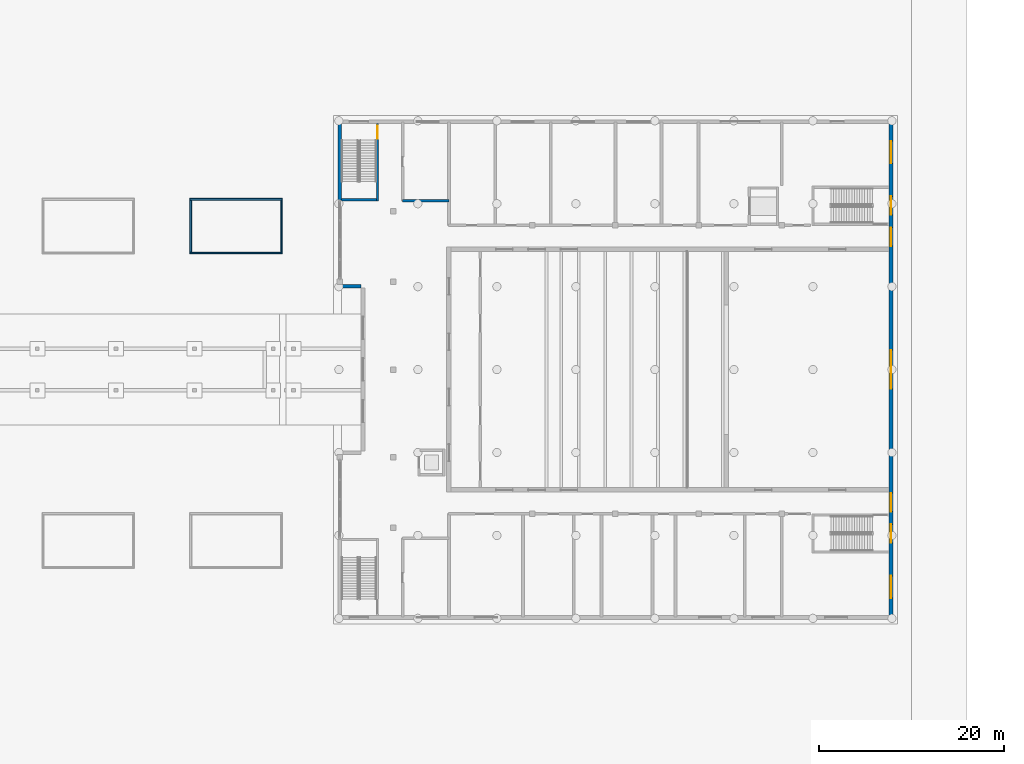
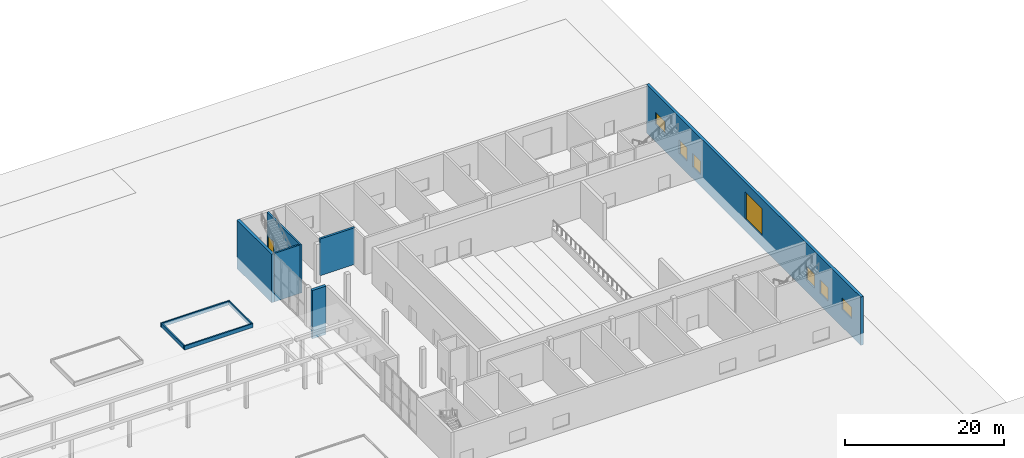
# One storey, part 26 of 47: 10 walls, 6 doors, 2 windows, 8 openings.
"""IFC4 building model written with IfcOpenShell, lengths in metres."""

from ifc_helpers import new_model, si_unit, direction, frame, frame_2d, origin, place, context, subcontext, project, spatial, rectangle, extrude, material, layer, layer_set, type_object, element, fill, save


model = new_model("IFC4")

# Units and contexts
model_context = context("Model", 3, precision=1e-05, world=origin(), true_north=direction((0.0, 1.0)))
body_context = subcontext(model_context, "Body", "Model", "MODEL_VIEW")
ifc_project = project(units=[si_unit("LENGTHUNIT", "METRE"), si_unit("AREAUNIT", "SQUARE_METRE"), si_unit("VOLUMEUNIT", "CUBIC_METRE"), si_unit("PLANEANGLEUNIT", "RADIAN"), si_unit("MASSUNIT", "GRAM", prefix="KILO")], contexts=[model_context])

# Site, building, storey
site_placement = place(None, origin())
site = spatial("IfcSite", under=ifc_project, at=site_placement, CompositionType="ELEMENT")
building_placement = place(site_placement, origin())
building = spatial("IfcBuilding", under=site, at=building_placement, Name="Hunhe Ridgeline Campus", CompositionType="ELEMENT")
storey_placement = place(building_placement, origin())
storey = spatial("IfcBuildingStorey", under=building, at=storey_placement, Name="L00", CompositionType="ELEMENT", Elevation=0.0)

# Walls
ifc_material_1 = material(Name="Plastered blockwork", Category="masonry")
ifc_layer_1 = layer(ifc_material_1, 0.300048828125)
ifc_layer_set_1 = layer_set([ifc_layer_1], Name="Hall blockwork partition 300")
wall_type_1 = type_object("IfcWallType", Name="Hall blockwork partition 300", PredefinedType="PARTITIONING", material=ifc_layer_set_1)
wall_1_placement = place(storey_placement, frame((162.02001953125, 67.75, 0.0), z_axis=(0.0, 0.0, 1.0), x_axis=(-1.0, 0.0, 0.0)))
element("IfcWall", 1, at=wall_1_placement, inside=storey, type_object=wall_type_1, Name="L00 partition", PredefinedType="PARTITIONING", context=body_context, shape_type="SweptSolid", body=[
    extrude(rectangle(XDim=5.0400390625, YDim=0.300048828125, at=frame_2d((2.52001953125, 0.0))), origin(), (0.0, 0.0, 1.0), 5.64990234375),
])
ifc_material_2 = material(Name="Concrete C40", Category="concrete")
ifc_layer_2 = layer(ifc_material_2, 0.39990234375)
ifc_layer_set_2 = layer_set([ifc_layer_2], Name="Hall external RC wall 400 C40")
wall_type_2 = type_object("IfcWallType", Name="Hall external RC wall 400 C40", PredefinedType="SOLIDWALL", material=ifc_layer_set_2)
wall_2_placement = place(storey_placement, frame((150.199951171875, 67.75, -1.800048828125), z_axis=(0.0, 0.0, 1.0), x_axis=(0.0, 1.0, 0.0)))
element("IfcWall", 2, at=wall_2_placement, inside=storey, type_object=wall_type_2, Name="Hall L00 west wall 3", PredefinedType="SOLIDWALL", context=body_context, shape_type="SweptSolid", body=[
    extrude(rectangle(XDim=8.75, YDim=0.39990234375, at=frame_2d((4.375, 0.0))), origin(), (0.0, 0.0, 1.0), 7.449951171875),
])
wall_3_placement = place(storey_placement, frame((152.5, 58.5, -1.800048828125), z_axis=(0.0, 0.0, 1.0), x_axis=(-1.0, 0.0, 0.0)))
element("IfcWall", 3, at=wall_3_placement, inside=storey, type_object=wall_type_2, Name="Hall entrance return north", PredefinedType="SOLIDWALL", context=body_context, shape_type="SweptSolid", body=[
    extrude(rectangle(XDim=2.0, YDim=0.39990234375, at=frame_2d((1.0, 0.0))), origin(), (0.0, 0.0, 1.0), 7.449951171875),
])

# Wall, openings, doors, windows
wall_4_placement = place(storey_placement, frame((209.800048828125, 76.5, -1.800048828125), z_axis=(0.0, 0.0, 1.0), x_axis=(0.0, -1.0, 0.0)))
wall_4 = element("IfcWall", 4, at=wall_4_placement, inside=storey, type_object=wall_type_2, Name="Hall L00 east wall", PredefinedType="SOLIDWALL", context=body_context, shape_type="SweptSolid", body=[
    extrude(rectangle(XDim=54.0, YDim=0.39990234375, at=frame_2d((27.0, 0.0))), origin(), (0.0, 0.0, 1.0), 7.449951171875),
])
opening_1_placement = place(wall_4_placement, frame((43.72509765625, 0.0, 1.800048828125)))
opening_1 = element("IfcOpeningElement", 5, at=opening_1_placement, cuts=wall_4, Name="Opening HD88", PredefinedType="OPENING", context=body_context, shape_type="SweptSolid", body=[
    extrude(rectangle(XDim=2.0, YDim=2.10009765625, at=frame_2d((1.0, 1.050048828125))), frame((0.0, 0.199951171875, 0.0), z_axis=(0.0, -1.0, 0.0), x_axis=(1.0, 0.0, 0.0)), (0.0, 0.0, 1.0), 0.39990234375),
])
opening_2_placement = place(wall_4_placement, frame((8.27490234375, 0.0, 1.800048828125)))
opening_2 = element("IfcOpeningElement", 6, at=opening_2_placement, cuts=wall_4, Name="Opening HD89", PredefinedType="OPENING", context=body_context, shape_type="SweptSolid", body=[
    extrude(rectangle(XDim=2.0, YDim=2.10009765625, at=frame_2d((1.0, 1.050048828125))), frame((0.0, 0.199951171875, 0.0), z_axis=(0.0, -1.0, 0.0), x_axis=(1.0, 0.0, 0.0)), (0.0, 0.0, 1.0), 0.39990234375),
])
opening_3_placement = place(wall_4_placement, frame((40.35009765625, 0.0, 1.800048828125)))
opening_3 = element("IfcOpeningElement", 7, at=opening_3_placement, cuts=wall_4, Name="Opening HD90", PredefinedType="OPENING", context=body_context, shape_type="SweptSolid", body=[
    extrude(rectangle(XDim=2.0, YDim=2.10009765625, at=frame_2d((1.0, 1.050048828125))), frame((0.0, 0.199951171875, 0.0), z_axis=(0.0, -1.0, 0.0), x_axis=(1.0, 0.0, 0.0)), (0.0, 0.0, 1.0), 0.39990234375),
])
opening_4_placement = place(wall_4_placement, frame((11.64990234375, 0.0, 1.800048828125)))
opening_4 = element("IfcOpeningElement", 8, at=opening_4_placement, cuts=wall_4, Name="Opening HD91", PredefinedType="OPENING", context=body_context, shape_type="SweptSolid", body=[
    extrude(rectangle(XDim=2.0, YDim=2.10009765625, at=frame_2d((1.0, 1.050048828125))), frame((0.0, 0.199951171875, 0.0), z_axis=(0.0, -1.0, 0.0), x_axis=(1.0, 0.0, 0.0)), (0.0, 0.0, 1.0), 0.39990234375),
])
opening_5_placement = place(wall_4_placement, frame((24.89990234375, 0.0, 1.800048828125)))
opening_5 = element("IfcOpeningElement", 9, at=opening_5_placement, cuts=wall_4, Name="Opening HD92", PredefinedType="OPENING", context=body_context, shape_type="SweptSolid", body=[
    extrude(rectangle(XDim=4.199951171875, YDim=4.199951171875, at=frame_2d((2.10009765625, 2.10009765625))), frame((0.0, 0.199951171875, 0.0), z_axis=(0.0, -1.0, 0.0), x_axis=(1.0, 0.0, 0.0)), (0.0, 0.0, 1.0), 0.39990234375),
])
opening_6_placement = place(wall_4_placement, frame((49.300048828125, 0.0, 2.699951171875)))
opening_6 = element("IfcOpeningElement", 10, at=opening_6_placement, cuts=wall_4, Name="Opening HWN07", PredefinedType="OPENING", context=body_context, shape_type="SweptSolid", body=[
    extrude(rectangle(XDim=2.39990234375, YDim=1.800048828125, at=frame_2d((1.199951171875, 0.89990234375))), frame((0.0, 0.199951171875, 0.0), z_axis=(0.0, -1.0, 0.0), x_axis=(1.0, 0.0, 0.0)), (0.0, 0.0, 1.0), 0.39990234375),
])
opening_7_placement = place(wall_4_placement, frame((2.300048828125, 0.0, 2.699951171875)))
opening_7 = element("IfcOpeningElement", 11, at=opening_7_placement, cuts=wall_4, Name="Opening HWN12", PredefinedType="OPENING", context=body_context, shape_type="SweptSolid", body=[
    extrude(rectangle(XDim=2.39990234375, YDim=1.800048828125, at=frame_2d((1.199951171875, 0.89990234375))), frame((0.0, 0.199951171875, 0.0), z_axis=(0.0, -1.0, 0.0), x_axis=(1.0, 0.0, 0.0)), (0.0, 0.0, 1.0), 0.39990234375),
])
ifc_material_3 = material(Name="Steel Q235", Category="steel")
door_type_1 = type_object("IfcDoorType", Name="Hall fire double door 2000x2100 FD60", OperationType="DOUBLE_DOOR_SINGLE_SWING", PredefinedType="DOOR", material=ifc_material_3)
door_1_placement = place(opening_1_placement, origin())
door_1 = element("IfcDoor", 12, at=door_1_placement, inside=storey, type_object=door_type_1, Name="Stair HS3 exit door", OperationType="DOUBLE_DOOR_SINGLE_SWING", OverallHeight=2.10009765625, OverallWidth=2.0, PredefinedType="DOOR", context=body_context, shape_type="SweptSolid", body=[
    extrude(rectangle(XDim=2.0, YDim=2.10009765625, at=frame_2d((1.0, 1.050048828125))), frame((0.0, 0.02490234375, 0.0), z_axis=(0.0, -1.0, 0.0), x_axis=(1.0, 0.0, 0.0)), (0.0, 0.0, 1.0), 0.050048828125),
])
fill(opening_1, door_1)
door_2_placement = place(opening_2_placement, origin())
door_2 = element("IfcDoor", 13, at=door_2_placement, inside=storey, type_object=door_type_1, Name="Stair HS4 exit door", OperationType="DOUBLE_DOOR_SINGLE_SWING", OverallHeight=2.10009765625, OverallWidth=2.0, PredefinedType="DOOR", context=body_context, shape_type="SweptSolid", body=[
    extrude(rectangle(XDim=2.0, YDim=2.10009765625, at=frame_2d((1.0, 1.050048828125))), frame((0.0, 0.02490234375, 0.0), z_axis=(0.0, -1.0, 0.0), x_axis=(1.0, 0.0, 0.0)), (0.0, 0.0, 1.0), 0.050048828125),
])
fill(opening_2, door_2)
door_3_placement = place(opening_3_placement, origin())
door_3 = element("IfcDoor", 14, at=door_3_placement, inside=storey, type_object=door_type_1, Name="South corridor exit door", OperationType="DOUBLE_DOOR_SINGLE_SWING", OverallHeight=2.10009765625, OverallWidth=2.0, PredefinedType="DOOR", context=body_context, shape_type="SweptSolid", body=[
    extrude(rectangle(XDim=2.0, YDim=2.10009765625, at=frame_2d((1.0, 1.050048828125))), frame((0.0, 0.02490234375, 0.0), z_axis=(0.0, -1.0, 0.0), x_axis=(1.0, 0.0, 0.0)), (0.0, 0.0, 1.0), 0.050048828125),
])
fill(opening_3, door_3)
door_4_placement = place(opening_4_placement, origin())
door_4 = element("IfcDoor", 15, at=door_4_placement, inside=storey, type_object=door_type_1, Name="North corridor exit door", OperationType="DOUBLE_DOOR_SINGLE_SWING", OverallHeight=2.10009765625, OverallWidth=2.0, PredefinedType="DOOR", context=body_context, shape_type="SweptSolid", body=[
    extrude(rectangle(XDim=2.0, YDim=2.10009765625, at=frame_2d((1.0, 1.050048828125))), frame((0.0, 0.02490234375, 0.0), z_axis=(0.0, -1.0, 0.0), x_axis=(1.0, 0.0, 0.0)), (0.0, 0.0, 1.0), 0.050048828125),
])
fill(opening_4, door_4)
door_type_2 = type_object("IfcDoorType", Name="Hall roller shutter 4200x4200", OperationType="ROLLINGUP", PredefinedType="DOOR", material=ifc_material_3)
door_5_placement = place(opening_5_placement, origin())
door_5 = element("IfcDoor", 16, at=door_5_placement, inside=storey, type_object=door_type_2, Name="Scenery roller shutter", OperationType="ROLLINGUP", OverallHeight=4.199951171875, OverallWidth=4.199951171875, PredefinedType="DOOR", context=body_context, shape_type="SweptSolid", body=[
    extrude(rectangle(XDim=4.199951171875, YDim=4.199951171875, at=frame_2d((2.10009765625, 2.10009765625))), frame((0.0, 0.02490234375, 0.0), z_axis=(0.0, -1.0, 0.0), x_axis=(1.0, 0.0, 0.0)), (0.0, 0.0, 1.0), 0.050048828125),
])
fill(opening_5, door_5)
ifc_material_4 = material(Name="Aluminium and glass", Category="aluminium")
window_type = type_object("IfcWindowType", Name="Hall window 2400x1800", PartitioningType="SINGLE_PANEL", PredefinedType="WINDOW", material=ifc_material_4)
window_1_placement = place(opening_6_placement, origin())
window_1 = element("IfcWindow", 17, at=window_1_placement, inside=storey, type_object=window_type, Name="L00 window", OverallHeight=1.800048828125, OverallWidth=2.39990234375, PartitioningType="SINGLE_PANEL", PredefinedType="WINDOW", context=body_context, shape_type="SweptSolid", body=[
    extrude(rectangle(XDim=2.39990234375, YDim=1.800048828125, at=frame_2d((1.199951171875, 0.89990234375))), frame((0.0, 0.030029296875, 0.0), z_axis=(0.0, -1.0, 0.0), x_axis=(1.0, 0.0, 0.0)), (0.0, 0.0, 1.0), 0.06005859375),
])
fill(opening_6, window_1)
window_2_placement = place(opening_7_placement, origin())
window_2 = element("IfcWindow", 18, at=window_2_placement, inside=storey, type_object=window_type, Name="L00 window", OverallHeight=1.800048828125, OverallWidth=2.39990234375, PartitioningType="SINGLE_PANEL", PredefinedType="WINDOW", context=body_context, shape_type="SweptSolid", body=[
    extrude(rectangle(XDim=2.39990234375, YDim=1.800048828125, at=frame_2d((1.199951171875, 0.89990234375))), frame((0.0, 0.030029296875, 0.0), z_axis=(0.0, -1.0, 0.0), x_axis=(1.0, 0.0, 0.0)), (0.0, 0.0, 1.0), 0.06005859375),
])
fill(opening_7, window_2)

# Wall, opening, door
ifc_layer_3 = layer(ifc_material_2, 0.25)
ifc_layer_set_3 = layer_set([ifc_layer_3], Name="Hall shaft wall 250 C40")
wall_type_3 = type_object("IfcWallType", Name="Hall shaft wall 250 C40", PredefinedType="SOLIDWALL", material=ifc_layer_set_3)
wall_5_placement = place(storey_placement, frame((154.27490234375, 76.10009765625, -1.800048828125), z_axis=(0.0, 0.0, 1.0), x_axis=(0.0, -1.0, 0.0)))
wall_5 = element("IfcWall", 19, at=wall_5_placement, inside=storey, type_object=wall_type_3, Name="L00 stair HS2 shaft wall", PredefinedType="SOLIDWALL", context=body_context, shape_type="SweptSolid", body=[
    extrude(rectangle(XDim=8.35009765625, YDim=0.25, at=frame_2d((4.175048828125, 0.0))), origin(), (0.0, 0.0, 1.0), 7.449951171875),
])
opening_8_placement = place(wall_5_placement, frame((0.25, 0.0, 1.800048828125)))
opening_8 = element("IfcOpeningElement", 20, at=opening_8_placement, cuts=wall_5, Name="Opening HD97", PredefinedType="OPENING", context=body_context, shape_type="SweptSolid", body=[
    extrude(rectangle(XDim=1.39990234375, YDim=2.10009765625, at=frame_2d((0.699951171875, 1.050048828125))), frame((0.0, 0.125, 0.0), z_axis=(0.0, -1.0, 0.0), x_axis=(1.0, 0.0, 0.0)), (0.0, 0.0, 1.0), 0.25),
])
door_type_3 = type_object("IfcDoorType", Name="Hall fire door 1400x2100 FD60", OperationType="NOTDEFINED", PredefinedType="DOOR", material=ifc_material_3)
door_6_placement = place(opening_8_placement, origin())
door_6 = element("IfcDoor", 21, at=door_6_placement, inside=storey, type_object=door_type_3, Name="L00 stair HS2 door", OperationType="SINGLE_SWING_RIGHT", OverallHeight=2.10009765625, OverallWidth=1.39990234375, PredefinedType="DOOR", context=body_context, shape_type="SweptSolid", body=[
    extrude(rectangle(XDim=1.39990234375, YDim=2.10009765625, at=frame_2d((0.699951171875, 1.050048828125))), frame((0.0, 0.02490234375, 0.0), z_axis=(0.0, -1.0, 0.0), x_axis=(1.0, 0.0, 0.0)), (0.0, 0.0, 1.0), 0.050048828125),
])
fill(opening_8, door_6)

# Walls
wall_6_placement = place(storey_placement, frame((154.14990234375, 67.875, -1.800048828125), z_axis=(0.0, 0.0, 1.0), x_axis=(-1.0, 0.0, 0.0)))
element("IfcWall", 22, at=wall_6_placement, inside=storey, type_object=wall_type_3, Name="L00 stair HS2 shaft wall", PredefinedType="SOLIDWALL", context=body_context, shape_type="SweptSolid", body=[
    extrude(rectangle(XDim=3.75, YDim=0.25, at=frame_2d((1.875, 0.0))), origin(), (0.0, 0.0, 1.0), 7.449951171875),
])
ifc_material_5 = material(Name="Concrete C30", Category="concrete")
ifc_layer_4 = layer(ifc_material_5, 0.199951171875)
ifc_layer_set_4 = layer_set([ifc_layer_4], Name="Planter kerb wall 200 C30")
wall_type_4 = type_object("IfcWallType", Name="Planter kerb wall 200 C30", PredefinedType="SOLIDWALL", material=ifc_layer_set_4)
wall_7_placement = place(storey_placement, frame((134.0, 62.10009765625, 0.0), z_axis=(0.0, 0.0, 1.0), x_axis=(1.0, 0.0, 0.0)))
element("IfcWall", 23, at=wall_7_placement, inside=storey, type_object=wall_type_4, Name="Garden planter 6 kerb", PredefinedType="SOLIDWALL", context=body_context, shape_type="SweptSolid", body=[
    extrude(rectangle(XDim=10.0, YDim=0.199951171875, at=frame_2d((5.0, 0.0))), origin(), (0.0, 0.0, 1.0), 0.60009765625),
])
wall_8_placement = place(storey_placement, frame((143.89990234375, 62.199951171875, 0.0), z_axis=(0.0, 0.0, 1.0), x_axis=(0.0, 1.0, 0.0)))
element("IfcWall", 24, at=wall_8_placement, inside=storey, type_object=wall_type_4, Name="Garden planter 6 kerb", PredefinedType="SOLIDWALL", context=body_context, shape_type="SweptSolid", body=[
    extrude(rectangle(XDim=5.60009765625, YDim=0.199951171875, at=frame_2d((2.800048828125, 0.0))), origin(), (0.0, 0.0, 1.0), 0.60009765625),
])
wall_9_placement = place(storey_placement, frame((144.0, 67.89990234375, 0.0), z_axis=(0.0, 0.0, 1.0), x_axis=(-1.0, 0.0, 0.0)))
element("IfcWall", 25, at=wall_9_placement, inside=storey, type_object=wall_type_4, Name="Garden planter 6 kerb", PredefinedType="SOLIDWALL", context=body_context, shape_type="SweptSolid", body=[
    extrude(rectangle(XDim=10.0, YDim=0.199951171875, at=frame_2d((5.0, 0.0))), origin(), (0.0, 0.0, 1.0), 0.60009765625),
])
wall_10_placement = place(storey_placement, frame((134.10009765625, 67.800048828125, 0.0), z_axis=(0.0, 0.0, 1.0), x_axis=(0.0, -1.0, 0.0)))
element("IfcWall", 26, at=wall_10_placement, inside=storey, type_object=wall_type_4, Name="Garden planter 6 kerb", PredefinedType="SOLIDWALL", context=body_context, shape_type="SweptSolid", body=[
    extrude(rectangle(XDim=5.60009765625, YDim=0.199951171875, at=frame_2d((2.800048828125, 0.0))), origin(), (0.0, 0.0, 1.0), 0.60009765625),
])

save(model, "model.ifc")
